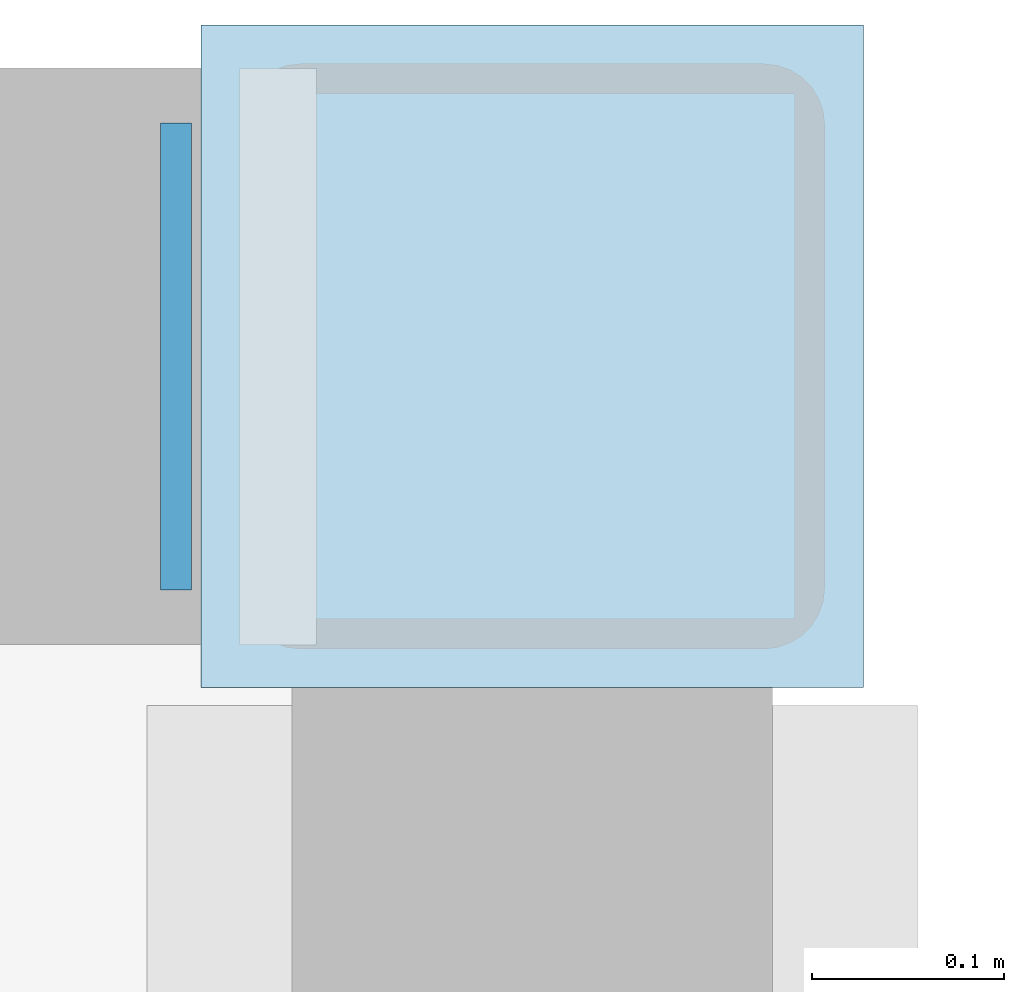
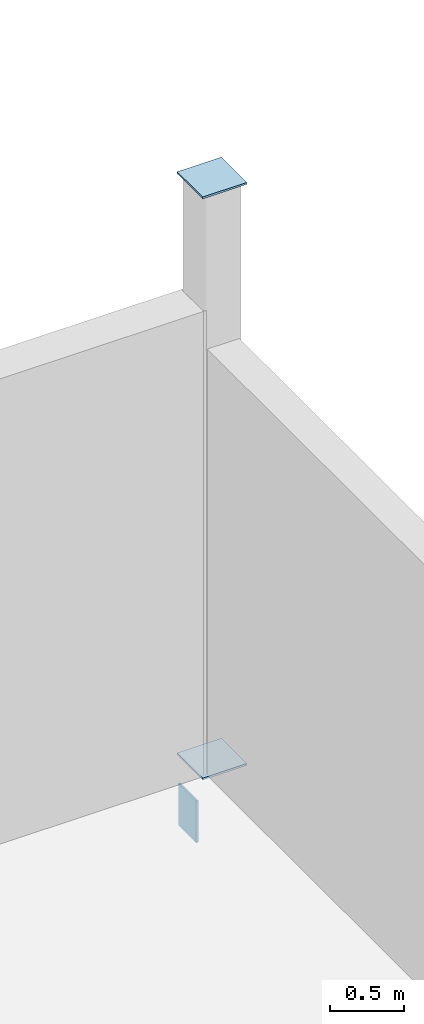
# One storey, part 14 of 27: 3 plates.
"""IFC4 building model written with IfcOpenShell, lengths in metres."""

from ifc_helpers import new_model, si_unit, direction, frame, origin, origin_2d, place, context, subcontext, project, spatial, rectangle, extrude, material, layer, layer_set, type_object, element, save


model = new_model("IFC4")

# Units and contexts
model_context = context("Model", 3, precision=1e-05, world=origin(), true_north=direction((0.0, 1.0)))
body_context = subcontext(model_context, "Body", "Model", "MODEL_VIEW")
ifc_project = project(units=[si_unit("LENGTHUNIT", "METRE"), si_unit("AREAUNIT", "SQUARE_METRE"), si_unit("VOLUMEUNIT", "CUBIC_METRE"), si_unit("PLANEANGLEUNIT", "RADIAN"), si_unit("MASSUNIT", "GRAM", prefix="KILO")], contexts=[model_context])

# Site, building, storey
site_placement = place(None, origin())
site = spatial("IfcSite", under=ifc_project, at=site_placement, CompositionType="ELEMENT")
building_placement = place(site_placement, origin())
building = spatial("IfcBuilding", under=site, at=building_placement, Name="Calvrana Isthmian Art Gallery", CompositionType="ELEMENT")
storey_placement = place(building_placement, frame((0.0, 0.0, 24.60009765625)))
storey = spatial("IfcBuildingStorey", under=building, at=storey_placement, Name="L05", CompositionType="ELEMENT", Elevation=24.60009765625)

# Plates
ifc_material = material(Name="Steel ASTM A572 Gr 50", Category="steel")
ifc_layer = layer(ifc_material, 0.01611328125, Name="Steel ASTM A572 Gr 50")
ifc_layer_set = layer_set([ifc_layer], Name="Steel ASTM A572 Gr 50")
plate_type = type_object("IfcPlateType", Name="PL-CAP-16", PredefinedType="SHEET", material=ifc_layer_set)
for number, where, z_axis, x_axis, name in (
    (1, (80.39990234375, 46.800048828125, -0.008056640625), (0.0, 0.0, 1.0), (1.0, 0.0, 0.0), "Hollow section end cap plate 193"),
    (2, (80.39990234375, 46.800048828125, 4.791748046875), (0.0, 0.0, 1.0), (1.0, 0.0, 0.0), "Hollow section end cap plate 194"),
):
    element("IfcPlate", number, at=place(storey_placement, frame(where, z_axis=z_axis, x_axis=x_axis)), inside=storey, type_object=plate_type, Name=name, PredefinedType="SHEET", context=body_context, shape_type="SweptSolid", body=[
        extrude(rectangle(XDim=0.3447265625, YDim=0.3447265625, at=origin_2d()), origin(), (0.0, 0.0, 1.0), 0.01611328125),
    ])
plate_placement = place(storey_placement, frame((80.214599609375, 46.800048828125, -0.5498046875), z_axis=(0.0, 0.0, 1.0), x_axis=(1.0, 0.0, 0.0)))
element("IfcPlate", 3, at=plate_placement, inside=storey, type_object=plate_type, Name="Hollow section end cap plate 502", PredefinedType="SHEET", context=body_context, shape_type="SweptSolid", body=[
    extrude(rectangle(XDim=0.01611328125, YDim=0.2431640625, at=origin_2d()), origin(), (0.0, 0.0, 1.0), 0.3447265625),
])

save(model, "model.ifc")
